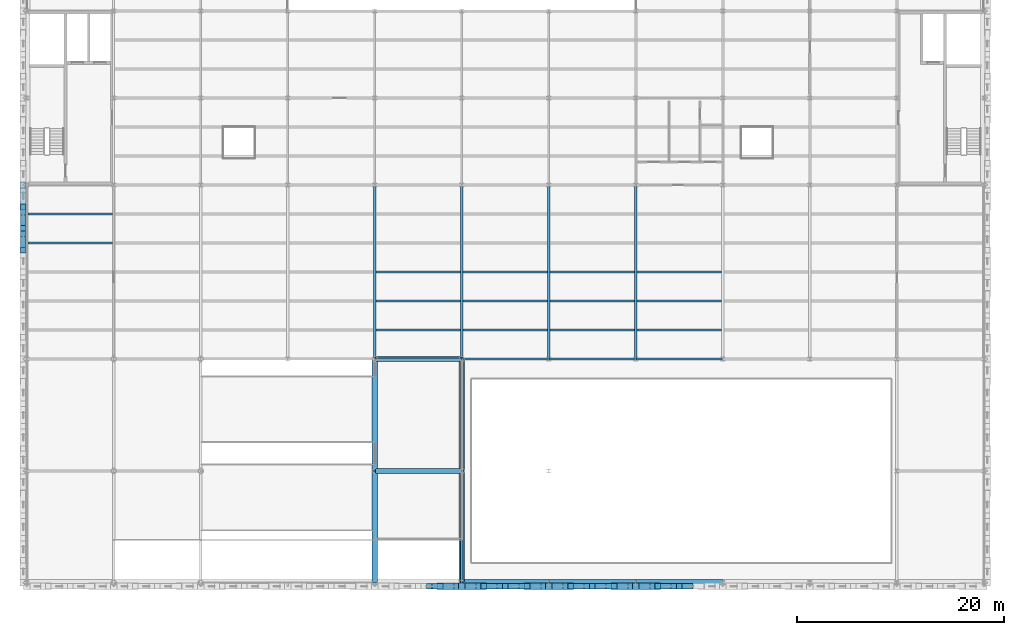
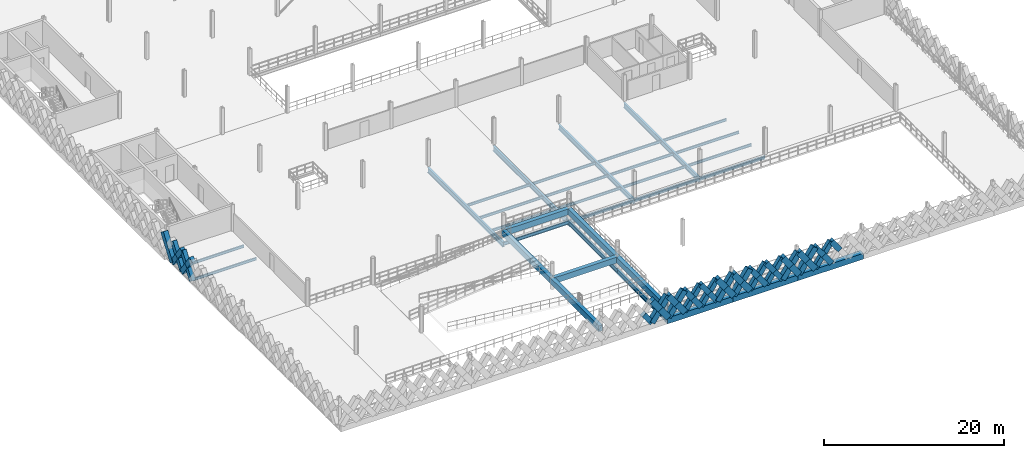
# One storey, part 16 of 62: 42 members, 33 beams.
"""IFC4 building model written with IfcOpenShell, lengths in metres."""

from ifc_helpers import new_model, si_unit, direction, frame, origin, origin_2d, place, context, subcontext, project, spatial, rectangle, i_section, extrude, material, material_profile, profile_set, type_object, element, save


model = new_model("IFC4")

# Units and contexts
model_context = context("Model", 3, precision=1e-05, world=origin(), true_north=direction((0.0, 1.0)))
body_context = subcontext(model_context, "Body", "Model", "MODEL_VIEW")
ifc_project = project(units=[si_unit("LENGTHUNIT", "METRE"), si_unit("AREAUNIT", "SQUARE_METRE"), si_unit("VOLUMEUNIT", "CUBIC_METRE"), si_unit("PLANEANGLEUNIT", "RADIAN"), si_unit("MASSUNIT", "GRAM", prefix="KILO"), si_unit("THERMODYNAMICTEMPERATUREUNIT", "KELVIN"), si_unit("POWERUNIT", "WATT")], contexts=[model_context])

# Site, building, storey
site_placement = place(None, origin())
site = spatial("IfcSite", under=ifc_project, at=site_placement, CompositionType="ELEMENT")
building_placement = place(site_placement, origin())
building = spatial("IfcBuilding", under=site, at=building_placement, Name="Tembeka Court Mobility Hub", CompositionType="ELEMENT")
storey_placement = place(building_placement, frame((0.0, 0.0, 16.199951171875)))
storey = spatial("IfcBuildingStorey", under=building, at=storey_placement, Name="L04", CompositionType="ELEMENT", Elevation=16.199951171875)

# Beams
ifc_material_1 = material(Name="Steel S355", Category="steel")
ifc_material_profile_1 = material_profile(ifc_material_1, i_section(OverallWidth=0.18994140625, OverallDepth=0.45703125, WebThickness=0.009033203125, FlangeThickness=0.014404296875, FilletRadius=0.01025390625, at=origin_2d()), Name="UKB 457x191x74")
ifc_profile_set_1 = profile_set([ifc_material_profile_1], Name="Steel S355")
beam_type_1 = type_object("IfcBeamType", Name="BM-B01", PredefinedType="BEAM", material=ifc_profile_set_1)
for number, where, z_axis, x_axis, name in (
    (1, (33.60009765625, 21.60009765625, -0.448486328125), (1.0, 0.0, 0.0), (0.0, 1.0, 0.0), "Beam B01 (BM-L04-X2210)"),
    (2, (42.0, 21.60009765625, -0.448486328125), (1.0, 0.0, 0.0), (0.0, 1.0, 0.0), "Beam B01 (BM-L04-X2211)"),
):
    element("IfcBeam", number, at=place(storey_placement, frame(where, z_axis=z_axis, x_axis=x_axis)), inside=storey, type_object=beam_type_1, Name=name, PredefinedType="BEAM", context=body_context, shape_type="SweptSolid", body=[
        extrude(i_section(OverallWidth=0.18994140625, OverallDepth=0.45703125, WebThickness=0.009033203125, FlangeThickness=0.014404296875, FilletRadius=0.01025390625, at=origin_2d()), origin(), (0.0, 0.0, 1.0), 8.39990234375),
    ])
beam_1_placement = place(storey_placement, frame((50.39990234375, 21.60009765625, -0.448486328125), z_axis=(1.0, 0.0, 0.0), x_axis=(0.0, 1.0, 0.0)))
element("IfcBeam", 3, at=beam_1_placement, inside=storey, type_object=beam_type_1, Name="Beam B01 (BM-L04-X2212)", PredefinedType="BEAM", context=body_context, shape_type="SweptSolid", body=[
    extrude(i_section(OverallWidth=0.18994140625, OverallDepth=0.45703125, WebThickness=0.009033203125, FlangeThickness=0.014404296875, FilletRadius=0.01025390625, at=origin_2d()), origin(), (0.0, 0.0, 1.0), 8.400146484375),
])
beam_2_placement = place(storey_placement, frame((58.800048828125, 21.60009765625, -0.448486328125), z_axis=(1.0, 0.0, 0.0), x_axis=(0.0, 1.0, 0.0)))
element("IfcBeam", 4, at=beam_2_placement, inside=storey, type_object=beam_type_1, Name="Beam B01 (BM-L04-X2213)", PredefinedType="BEAM", context=body_context, shape_type="SweptSolid", body=[
    extrude(i_section(OverallWidth=0.18994140625, OverallDepth=0.45703125, WebThickness=0.009033203125, FlangeThickness=0.014404296875, FilletRadius=0.01025390625, at=origin_2d()), origin(), (0.0, 0.0, 1.0), 8.39990234375),
])
ifc_material_2 = material(Name="Concrete C40/50", Category="concrete")
ifc_material_profile_2 = material_profile(ifc_material_2, rectangle(XDim=0.5, YDim=0.800048828125, at=origin_2d()), Name="RC-BM 500x800")
ifc_profile_set_2 = profile_set([ifc_material_profile_2], Name="Concrete C40/50")
beam_type_2 = type_object("IfcBeamType", Name="BM-B05", PredefinedType="BEAM", material=ifc_profile_set_2)
for number, where, z_axis, x_axis, name in (
    (5, (33.695068359375, 10.800048828125, 1.150146484375), (1.0, 0.0, 0.0), (0.0, 1.0, 0.0), "Car park vehicle ramp South R2 L04 half-landing tie beam EX2"),
    (6, (33.695068359375, 21.60009765625, 1.150146484375), (1.0, 0.0, 0.0), (0.0, 1.0, 0.0), "Car park vehicle ramp South R2 L04 half-landing tie beam EX3"),
):
    element("IfcBeam", number, at=place(storey_placement, frame(where, z_axis=z_axis, x_axis=x_axis)), inside=storey, type_object=beam_type_2, Name=name, PredefinedType="BEAM", context=body_context, shape_type="SweptSolid", body=[
        extrude(rectangle(XDim=0.5, YDim=0.800048828125, at=origin_2d()), origin(), (0.0, 0.0, 1.0), 8.2099609375),
    ])
for number, where, z_axis, x_axis, name in (
    (7, (33.60009765625, 0.0, 1.150146484375), (0.0, 1.0, 0.0), (-1.0, 0.0, 0.0), "Car park vehicle ramp South R2 L04 half-landing beam EM1"),
    (8, (33.60009765625, 10.800048828125, 1.150146484375), (0.0, 1.0, 0.0), (-1.0, 0.0, 0.0), "Car park vehicle ramp South R2 L04 half-landing beam EM2"),
    (9, (42.0, 0.0, 1.150146484375), (0.0, 1.0, 0.0), (-1.0, 0.0, 0.0), "Car park vehicle ramp South R2 L04 half-landing beam EE1"),
    (10, (42.0, 10.800048828125, 1.150146484375), (0.0, 1.0, 0.0), (-1.0, 0.0, 0.0), "Car park vehicle ramp South R2 L04 half-landing beam EE2"),
):
    element("IfcBeam", number, at=place(storey_placement, frame(where, z_axis=z_axis, x_axis=x_axis)), inside=storey, type_object=beam_type_2, Name=name, PredefinedType="BEAM", context=body_context, shape_type="SweptSolid", body=[
        extrude(rectangle(XDim=0.5, YDim=0.800048828125, at=origin_2d()), origin(), (0.0, 0.0, 1.0), 10.800048828125),
    ])
ifc_material_profile_3 = material_profile(ifc_material_1, i_section(OverallWidth=0.25390625, OverallDepth=0.68408203125, WebThickness=0.012451171875, FlangeThickness=0.01904296875, FilletRadius=0.01513671875, at=origin_2d()), Name="UKB 686x254x140")
ifc_profile_set_3 = profile_set([ifc_material_profile_3], Name="Steel S355")
beam_type_3 = type_object("IfcBeamType", Name="BM-G01", PredefinedType="USERDEFINED", material=ifc_profile_set_3)
for number, where, z_axis, x_axis, name in (
    (11, (33.60009765625, 21.60009765625, -0.56201171875), (0.0, 1.0, 0.0), (-1.0, 0.0, 0.0), "Beam G01 (BM-L04-Y2353)"),
    (12, (42.0, 21.60009765625, -0.56201171875), (0.0, 1.0, 0.0), (-1.0, 0.0, 0.0), "Beam G01 (BM-L04-Y2361)"),
    (13, (50.39990234375, 21.60009765625, -0.56201171875), (0.0, 1.0, 0.0), (-1.0, 0.0, 0.0), "Beam G01 (BM-L04-Y2369)"),
    (14, (58.800048828125, 21.60009765625, -0.56201171875), (0.0, 1.0, 0.0), (-1.0, 0.0, 0.0), "Beam G01 (BM-L04-Y2375)"),
):
    element("IfcBeam", number, at=place(storey_placement, frame(where, z_axis=z_axis, x_axis=x_axis)), inside=storey, type_object=beam_type_3, Name=name, ObjectType="GIRDER", PredefinedType="USERDEFINED", context=body_context, shape_type="SweptSolid", body=[
        extrude(i_section(OverallWidth=0.25390625, OverallDepth=0.68408203125, WebThickness=0.012451171875, FlangeThickness=0.01904296875, FilletRadius=0.01513671875, at=origin_2d()), origin(), (0.0, 0.0, 1.0), 16.7998046875),
    ])
ifc_material_profile_4 = material_profile(ifc_material_1, i_section(OverallWidth=0.22900390625, OverallDepth=0.612060546875, WebThickness=0.011962890625, FlangeThickness=0.01953125, FilletRadius=0.0126953125, at=origin_2d()), Name="UKB 610x229x125")
ifc_profile_set_4 = profile_set([ifc_material_profile_4], Name="Steel S355")
beam_type_4 = type_object("IfcBeamType", Name="BM-G02", PredefinedType="USERDEFINED", material=ifc_profile_set_4)
for number, where, z_axis, x_axis, name in (
    (15, (42.0, 0.0, -0.52587890625), (0.0, 1.0, 0.0), (-1.0, 0.0, 0.0), "Beam G02 (BM-L04-Y2359)"),
    (16, (42.0, 10.800048828125, -0.52587890625), (0.0, 1.0, 0.0), (-1.0, 0.0, 0.0), "Beam G02 (BM-L04-Y2360)"),
):
    element("IfcBeam", number, at=place(storey_placement, frame(where, z_axis=z_axis, x_axis=x_axis)), inside=storey, type_object=beam_type_4, Name=name, ObjectType="GIRDER", PredefinedType="USERDEFINED", context=body_context, shape_type="SweptSolid", body=[
        extrude(i_section(OverallWidth=0.22900390625, OverallDepth=0.612060546875, WebThickness=0.011962890625, FlangeThickness=0.01953125, FilletRadius=0.0126953125, at=origin_2d()), origin(), (0.0, 0.0, 1.0), 10.800048828125),
    ])
ifc_material_profile_5 = material_profile(ifc_material_1, i_section(OverallWidth=0.172119140625, OverallDepth=0.35498046875, WebThickness=0.00732421875, FlangeThickness=0.011474609375, FilletRadius=0.01025390625, at=origin_2d()), Name="UKB 356x171x51")
ifc_profile_set_5 = profile_set([ifc_material_profile_5], Name="Steel S355")
beam_type_5 = type_object("IfcBeamType", Name="BM-J01", PredefinedType="JOIST", material=ifc_profile_set_5)
for number, where, z_axis, x_axis, name in (
    (17, (0.1220703125, 32.800048828125, -0.3974609375), (1.0, 0.0, 0.0), (0.0, 1.0, 0.0), "Beam J01 (JST-L04-2441)"),
    (18, (0.1220703125, 35.60009765625, -0.3974609375), (1.0, 0.0, 0.0), (0.0, 1.0, 0.0), "Beam J01 (JST-L04-2442)"),
    (19, (33.721923828125, 24.39990234375, -0.3974609375), (1.0, 0.0, 0.0), (0.0, 1.0, 0.0), "Beam J01 (JST-L04-2508)"),
    (20, (33.721923828125, 27.199951171875, -0.3974609375), (1.0, 0.0, 0.0), (0.0, 1.0, 0.0), "Beam J01 (JST-L04-2509)"),
    (21, (33.721923828125, 30.0, -0.3974609375), (1.0, 0.0, 0.0), (0.0, 1.0, 0.0), "Beam J01 (JST-L04-2510)"),
    (22, (42.1220703125, 24.39990234375, -0.3974609375), (1.0, 0.0, 0.0), (0.0, 1.0, 0.0), "Beam J01 (JST-L04-2526)"),
    (23, (42.1220703125, 27.199951171875, -0.3974609375), (1.0, 0.0, 0.0), (0.0, 1.0, 0.0), "Beam J01 (JST-L04-2527)"),
    (24, (42.1220703125, 30.0, -0.3974609375), (1.0, 0.0, 0.0), (0.0, 1.0, 0.0), "Beam J01 (JST-L04-2528)"),
    (25, (50.52197265625, 24.39990234375, -0.3974609375), (1.0, 0.0, 0.0), (0.0, 1.0, 0.0), "Beam J01 (JST-L04-2544)"),
    (26, (50.52197265625, 27.199951171875, -0.3974609375), (1.0, 0.0, 0.0), (0.0, 1.0, 0.0), "Beam J01 (JST-L04-2545)"),
    (27, (50.52197265625, 30.0, -0.3974609375), (1.0, 0.0, 0.0), (0.0, 1.0, 0.0), "Beam J01 (JST-L04-2546)"),
):
    element("IfcBeam", number, at=place(storey_placement, frame(where, z_axis=z_axis, x_axis=x_axis)), inside=storey, type_object=beam_type_5, Name=name, PredefinedType="JOIST", context=body_context, shape_type="SweptSolid", body=[
        extrude(i_section(OverallWidth=0.172119140625, OverallDepth=0.35498046875, WebThickness=0.00732421875, FlangeThickness=0.011474609375, FilletRadius=0.01025390625, at=origin_2d()), origin(), (0.0, 0.0, 1.0), 8.156005859375),
    ])
for number, where, z_axis, x_axis, name in (
    (28, (58.922119140625, 24.39990234375, -0.3974609375), (1.0, 0.0, 0.0), (0.0, 1.0, 0.0), "Beam J01 (JST-L04-2562)"),
    (29, (58.922119140625, 27.199951171875, -0.3974609375), (1.0, 0.0, 0.0), (0.0, 1.0, 0.0), "Beam J01 (JST-L04-2563)"),
    (30, (58.922119140625, 30.0, -0.3974609375), (1.0, 0.0, 0.0), (0.0, 1.0, 0.0), "Beam J01 (JST-L04-2564)"),
):
    element("IfcBeam", number, at=place(storey_placement, frame(where, z_axis=z_axis, x_axis=x_axis)), inside=storey, type_object=beam_type_5, Name=name, PredefinedType="JOIST", context=body_context, shape_type="SweptSolid", body=[
        extrude(i_section(OverallWidth=0.172119140625, OverallDepth=0.35498046875, WebThickness=0.00732421875, FlangeThickness=0.011474609375, FilletRadius=0.01025390625, at=origin_2d()), origin(), (0.0, 0.0, 1.0), 8.15576171875),
    ])
ifc_material_3 = material(Name="Precast concrete C45/55", Category="concrete")
ifc_material_profile_6 = material_profile(ifc_material_3, rectangle(XDim=0.64990234375, YDim=0.800048828125, at=origin_2d()), Name="PC-SP 650x800")
ifc_profile_set_6 = profile_set([ifc_material_profile_6], Name="Precast concrete C45/55")
beam_type_6 = type_object("IfcBeamType", Name="BM-SP01", PredefinedType="SPANDREL", material=ifc_profile_set_6)
beam_3_placement = place(storey_placement, frame((42.0, 0.0, -0.619873046875), z_axis=(1.0, 0.0, 0.0), x_axis=(0.0, 1.0, 0.0)))
element("IfcBeam", 31, at=beam_3_placement, inside=storey, type_object=beam_type_6, Name="Beam SP01 (BM-L04-X2189)", PredefinedType="SPANDREL", context=body_context, shape_type="SweptSolid", body=[
    extrude(rectangle(XDim=0.64990234375, YDim=0.800048828125, at=origin_2d()), origin(), (0.0, 0.0, 1.0), 8.39990234375),
])
beam_4_placement = place(storey_placement, frame((50.39990234375, 0.0, -0.619873046875), z_axis=(1.0, 0.0, 0.0), x_axis=(0.0, 1.0, 0.0)))
element("IfcBeam", 32, at=beam_4_placement, inside=storey, type_object=beam_type_6, Name="Beam SP01 (BM-L04-X2190)", PredefinedType="SPANDREL", context=body_context, shape_type="SweptSolid", body=[
    extrude(rectangle(XDim=0.64990234375, YDim=0.800048828125, at=origin_2d()), origin(), (0.0, 0.0, 1.0), 8.400146484375),
])
beam_5_placement = place(storey_placement, frame((58.800048828125, 0.0, -0.619873046875), z_axis=(1.0, 0.0, 0.0), x_axis=(0.0, 1.0, 0.0)))
element("IfcBeam", 33, at=beam_5_placement, inside=storey, type_object=beam_type_6, Name="Beam SP01 (BM-L04-X2191)", PredefinedType="SPANDREL", context=body_context, shape_type="SweptSolid", body=[
    extrude(rectangle(XDim=0.64990234375, YDim=0.800048828125, at=origin_2d()), origin(), (0.0, 0.0, 1.0), 8.39990234375),
])

# Members
ifc_material_profile_7 = material_profile(ifc_material_3, rectangle(XDim=0.5, YDim=0.64990234375, at=origin_2d()), Name="PC-DIAG 500x650")
ifc_profile_set_7 = profile_set([ifc_material_profile_7], Name="Precast concrete C45/55")
member_type_1 = type_object("IfcMemberType", Name="MEM-DL01", PredefinedType="BRACE", material=ifc_profile_set_7)
member_1_placement = place(storey_placement, frame((39.89990234375, -0.340087890625, 0.02001953125), z_axis=(-0.582454804382, 0.0, 0.812863088627), x_axis=(0.0, -1.0, 0.0)))
element("IfcMember", 34, at=member_1_placement, inside=storey, type_object=member_type_1, Name="Precast diamond lattice split lower strand DL01 (L04-607B1)", PredefinedType="BRACE", context=body_context, shape_type="SweptSolid", body=[
    extrude(rectangle(XDim=0.5, YDim=0.64990234375, at=origin_2d()), origin(), (0.0, 0.0, 1.0), 1.802490234375),
])
member_2_placement = place(storey_placement, frame((44.10009765625, -0.340087890625, 0.02001953125), z_axis=(0.58253161945, 0.0, 0.812808041509), x_axis=(0.0, 1.0, 0.0)))
element("IfcMember", 35, at=member_2_placement, inside=storey, type_object=member_type_1, Name="Precast diamond lattice continuous strand DL01 (L04-610A)", PredefinedType="BRACE", context=body_context, shape_type="SweptSolid", body=[
    extrude(rectangle(XDim=0.5, YDim=0.64990234375, at=origin_2d()), origin(), (0.0, 0.0, 1.0), 3.604736328125),
])
member_3_placement = place(storey_placement, frame((46.199951171875, -0.340087890625, 0.02001953125), z_axis=(-0.582544294934, 0.0, 0.812798956963), x_axis=(0.0, -1.0, 0.0)))
element("IfcMember", 36, at=member_3_placement, inside=storey, type_object=member_type_1, Name="Precast diamond lattice split lower strand DL01 (L04-610B1)", PredefinedType="BRACE", context=body_context, shape_type="SweptSolid", body=[
    extrude(rectangle(XDim=0.5, YDim=0.64990234375, at=origin_2d()), origin(), (0.0, 0.0, 1.0), 1.802490234375),
])
member_4_placement = place(storey_placement, frame((45.14990234375, -0.340087890625, 1.485107421875), z_axis=(-0.582518941428, 0.0, 0.812817127574), x_axis=(0.0, -1.0, 0.0)))
element("IfcMember", 37, at=member_4_placement, inside=storey, type_object=member_type_1, Name="Precast diamond lattice split upper strand DL01 (L04-610B2)", PredefinedType="BRACE", context=body_context, shape_type="SweptSolid", body=[
    extrude(rectangle(XDim=0.5, YDim=0.64990234375, at=origin_2d()), origin(), (0.0, 0.0, 1.0), 1.80224609375),
])
member_5_placement = place(storey_placement, frame((46.199951171875, -0.340087890625, 0.02001953125), z_axis=(0.582576362011, 0.0, 0.812775973086), x_axis=(0.0, 1.0, 0.0)))
element("IfcMember", 38, at=member_5_placement, inside=storey, type_object=member_type_1, Name="Precast diamond lattice continuous strand DL01 (L04-611A)", PredefinedType="BRACE", context=body_context, shape_type="SweptSolid", body=[
    extrude(rectangle(XDim=0.5, YDim=0.64990234375, at=origin_2d()), origin(), (0.0, 0.0, 1.0), 3.604736328125),
])
member_6_placement = place(storey_placement, frame((48.300048828125, -0.340087890625, 0.02001953125), z_axis=(-0.582544294934, 0.0, 0.812798956963), x_axis=(0.0, -1.0, 0.0)))
element("IfcMember", 39, at=member_6_placement, inside=storey, type_object=member_type_1, Name="Precast diamond lattice split lower strand DL01 (L04-611B1)", PredefinedType="BRACE", context=body_context, shape_type="SweptSolid", body=[
    extrude(rectangle(XDim=0.5, YDim=0.64990234375, at=origin_2d()), origin(), (0.0, 0.0, 1.0), 1.802490234375),
])
member_7_placement = place(storey_placement, frame((47.25, -0.340087890625, 1.485107421875), z_axis=(-0.582608431711, 0.0, 0.812752985414), x_axis=(0.0, -1.0, 0.0)))
element("IfcMember", 40, at=member_7_placement, inside=storey, type_object=member_type_1, Name="Precast diamond lattice split upper strand DL01 (L04-611B2)", PredefinedType="BRACE", context=body_context, shape_type="SweptSolid", body=[
    extrude(rectangle(XDim=0.5, YDim=0.64990234375, at=origin_2d()), origin(), (0.0, 0.0, 1.0), 1.80224609375),
])
member_8_placement = place(storey_placement, frame((52.5, -0.340087890625, 0.02001953125), z_axis=(0.582576362011, 0.0, 0.812775973086), x_axis=(0.0, 1.0, 0.0)))
element("IfcMember", 41, at=member_8_placement, inside=storey, type_object=member_type_1, Name="Precast diamond lattice continuous strand DL01 (L04-614A)", PredefinedType="BRACE", context=body_context, shape_type="SweptSolid", body=[
    extrude(rectangle(XDim=0.5, YDim=0.64990234375, at=origin_2d()), origin(), (0.0, 0.0, 1.0), 3.604736328125),
])
member_9_placement = place(storey_placement, frame((54.60009765625, -0.340087890625, 0.02001953125), z_axis=(-0.582544294934, 0.0, 0.812798956963), x_axis=(0.0, -1.0, 0.0)))
element("IfcMember", 42, at=member_9_placement, inside=storey, type_object=member_type_1, Name="Precast diamond lattice split lower strand DL01 (L04-614B1)", PredefinedType="BRACE", context=body_context, shape_type="SweptSolid", body=[
    extrude(rectangle(XDim=0.5, YDim=0.64990234375, at=origin_2d()), origin(), (0.0, 0.0, 1.0), 1.802490234375),
])
member_10_placement = place(storey_placement, frame((53.550048828125, -0.340087890625, 1.485107421875), z_axis=(-0.582608431711, 0.0, 0.812752985414), x_axis=(0.0, -1.0, 0.0)))
element("IfcMember", 43, at=member_10_placement, inside=storey, type_object=member_type_1, Name="Precast diamond lattice split upper strand DL01 (L04-614B2)", PredefinedType="BRACE", context=body_context, shape_type="SweptSolid", body=[
    extrude(rectangle(XDim=0.5, YDim=0.64990234375, at=origin_2d()), origin(), (0.0, 0.0, 1.0), 1.80224609375),
])
member_11_placement = place(storey_placement, frame((54.60009765625, -0.340087890625, 0.02001953125), z_axis=(0.58253161945, 0.0, 0.812808041509), x_axis=(0.0, 1.0, 0.0)))
element("IfcMember", 44, at=member_11_placement, inside=storey, type_object=member_type_1, Name="Precast diamond lattice continuous strand DL01 (L04-615A)", PredefinedType="BRACE", context=body_context, shape_type="SweptSolid", body=[
    extrude(rectangle(XDim=0.5, YDim=0.64990234375, at=origin_2d()), origin(), (0.0, 0.0, 1.0), 3.604736328125),
])
member_12_placement = place(storey_placement, frame((56.699951171875, -0.340087890625, 0.02001953125), z_axis=(-0.582544294934, 0.0, 0.812798956963), x_axis=(0.0, -1.0, 0.0)))
element("IfcMember", 45, at=member_12_placement, inside=storey, type_object=member_type_1, Name="Precast diamond lattice split lower strand DL01 (L04-615B1)", PredefinedType="BRACE", context=body_context, shape_type="SweptSolid", body=[
    extrude(rectangle(XDim=0.5, YDim=0.64990234375, at=origin_2d()), origin(), (0.0, 0.0, 1.0), 1.802490234375),
])
member_13_placement = place(storey_placement, frame((55.64990234375, -0.340087890625, 1.485107421875), z_axis=(-0.582518941428, 0.0, 0.812817127574), x_axis=(0.0, -1.0, 0.0)))
element("IfcMember", 46, at=member_13_placement, inside=storey, type_object=member_type_1, Name="Precast diamond lattice split upper strand DL01 (L04-615B2)", PredefinedType="BRACE", context=body_context, shape_type="SweptSolid", body=[
    extrude(rectangle(XDim=0.5, YDim=0.64990234375, at=origin_2d()), origin(), (0.0, 0.0, 1.0), 1.80224609375),
])
member_14_placement = place(storey_placement, frame((60.89990234375, -0.340087890625, 0.02001953125), z_axis=(0.582576362011, 0.0, 0.812775973086), x_axis=(0.0, 1.0, 0.0)))
element("IfcMember", 47, at=member_14_placement, inside=storey, type_object=member_type_1, Name="Precast diamond lattice continuous strand DL01 (L04-618A)", PredefinedType="BRACE", context=body_context, shape_type="SweptSolid", body=[
    extrude(rectangle(XDim=0.5, YDim=0.64990234375, at=origin_2d()), origin(), (0.0, 0.0, 1.0), 3.604736328125),
])
member_15_placement = place(storey_placement, frame((63.0, -0.340087890625, 0.02001953125), z_axis=(-0.582544294934, 0.0, 0.812798956963), x_axis=(0.0, -1.0, 0.0)))
element("IfcMember", 48, at=member_15_placement, inside=storey, type_object=member_type_1, Name="Precast diamond lattice split lower strand DL01 (L04-618B1)", PredefinedType="BRACE", context=body_context, shape_type="SweptSolid", body=[
    extrude(rectangle(XDim=0.5, YDim=0.64990234375, at=origin_2d()), origin(), (0.0, 0.0, 1.0), 1.802490234375),
])
for number, where, z_axis, x_axis, name in (
    (49, (61.949951171875, -0.340087890625, 1.485107421875), (-0.582608431711, 0.0, 0.812752985414), (0.0, -1.0, 0.0), "Precast diamond lattice split upper strand DL01 (L04-618B2)"),
    (50, (64.050048828125, -0.340087890625, 1.485107421875), (-0.582608431711, 0.0, 0.812752985414), (0.0, -1.0, 0.0), "Precast diamond lattice split upper strand DL01 (L04-619B2)"),
):
    element("IfcMember", number, at=place(storey_placement, frame(where, z_axis=z_axis, x_axis=x_axis)), inside=storey, type_object=member_type_1, Name=name, PredefinedType="BRACE", context=body_context, shape_type="SweptSolid", body=[
        extrude(rectangle(XDim=0.5, YDim=0.64990234375, at=origin_2d()), origin(), (0.0, 0.0, 1.0), 1.80224609375),
    ])
member_16_placement = place(storey_placement, frame((-0.340087890625, 32.10009765625, 0.02001953125), z_axis=(0.0, 0.58253161945, 0.812808041509), x_axis=(-1.0, 0.0, 0.0)))
element("IfcMember", 51, at=member_16_placement, inside=storey, type_object=member_type_1, Name="Precast diamond lattice continuous strand DL01 (L04-692C)", PredefinedType="BRACE", context=body_context, shape_type="SweptSolid", body=[
    extrude(rectangle(XDim=0.5, YDim=0.64990234375, at=origin_2d()), origin(), (0.0, 0.0, 1.0), 3.604736328125),
])
member_17_placement = place(storey_placement, frame((-0.340087890625, 34.199951171875, 0.02001953125), z_axis=(0.0, -0.582544294934, 0.812798956963), x_axis=(1.0, 0.0, 0.0)))
element("IfcMember", 52, at=member_17_placement, inside=storey, type_object=member_type_1, Name="Precast diamond lattice split lower strand DL01 (L04-692D1)", PredefinedType="BRACE", context=body_context, shape_type="SweptSolid", body=[
    extrude(rectangle(XDim=0.5, YDim=0.64990234375, at=origin_2d()), origin(), (0.0, 0.0, 1.0), 1.802490234375),
])
member_18_placement = place(storey_placement, frame((-0.340087890625, 33.14990234375, 1.485107421875), z_axis=(0.0, -0.582518941428, 0.812817127574), x_axis=(1.0, 0.0, 0.0)))
element("IfcMember", 53, at=member_18_placement, inside=storey, type_object=member_type_1, Name="Precast diamond lattice split upper strand DL01 (L04-692D2)", PredefinedType="BRACE", context=body_context, shape_type="SweptSolid", body=[
    extrude(rectangle(XDim=0.5, YDim=0.64990234375, at=origin_2d()), origin(), (0.0, 0.0, 1.0), 1.80224609375),
])
member_19_placement = place(storey_placement, frame((-0.340087890625, 34.199951171875, 0.02001953125), z_axis=(0.0, 0.582576362011, 0.812775973086), x_axis=(-1.0, 0.0, 0.0)))
element("IfcMember", 54, at=member_19_placement, inside=storey, type_object=member_type_1, Name="Precast diamond lattice continuous strand DL01 (L04-693C)", PredefinedType="BRACE", context=body_context, shape_type="SweptSolid", body=[
    extrude(rectangle(XDim=0.5, YDim=0.64990234375, at=origin_2d()), origin(), (0.0, 0.0, 1.0), 3.604736328125),
])
member_20_placement = place(storey_placement, frame((-0.340087890625, 36.300048828125, 0.02001953125), z_axis=(0.0, -0.582544294934, 0.812798956963), x_axis=(1.0, 0.0, 0.0)))
element("IfcMember", 55, at=member_20_placement, inside=storey, type_object=member_type_1, Name="Precast diamond lattice split lower strand DL01 (L04-693D1)", PredefinedType="BRACE", context=body_context, shape_type="SweptSolid", body=[
    extrude(rectangle(XDim=0.5, YDim=0.64990234375, at=origin_2d()), origin(), (0.0, 0.0, 1.0), 1.802490234375),
])
member_21_placement = place(storey_placement, frame((-0.340087890625, 35.25, 1.485107421875), z_axis=(0.0, -0.582608431711, 0.812752985414), x_axis=(1.0, 0.0, 0.0)))
element("IfcMember", 56, at=member_21_placement, inside=storey, type_object=member_type_1, Name="Precast diamond lattice split upper strand DL01 (L04-693D2)", PredefinedType="BRACE", context=body_context, shape_type="SweptSolid", body=[
    extrude(rectangle(XDim=0.5, YDim=0.64990234375, at=origin_2d()), origin(), (0.0, 0.0, 1.0), 1.80224609375),
])
ifc_material_profile_8 = material_profile(ifc_material_3, rectangle(XDim=0.60009765625, YDim=0.75, at=origin_2d()), Name="PC-DIAG 600x750")
ifc_profile_set_8 = profile_set([ifc_material_profile_8], Name="Precast concrete C45/55")
member_type_2 = type_object("IfcMemberType", Name="MEM-DL02", PredefinedType="BRACE", material=ifc_profile_set_8)
member_22_placement = place(storey_placement, frame((39.89990234375, -0.340087890625, 0.02001953125), z_axis=(0.582576362011, 0.0, 0.812775973086), x_axis=(0.0, 1.0, 0.0)))
element("IfcMember", 57, at=member_22_placement, inside=storey, type_object=member_type_2, Name="Precast diamond lattice continuous strand DL02 (L04-608A)", PredefinedType="BRACE", context=body_context, shape_type="SweptSolid", body=[
    extrude(rectangle(XDim=0.60009765625, YDim=0.75, at=origin_2d()), origin(), (0.0, 0.0, 1.0), 3.604736328125),
])
member_23_placement = place(storey_placement, frame((42.0, -0.340087890625, 0.02001953125), z_axis=(-0.582544294934, 0.0, 0.812798956963), x_axis=(0.0, -1.0, 0.0)))
element("IfcMember", 58, at=member_23_placement, inside=storey, type_object=member_type_2, Name="Precast diamond lattice split lower strand DL02 (L04-608B1)", PredefinedType="BRACE", context=body_context, shape_type="SweptSolid", body=[
    extrude(rectangle(XDim=0.60009765625, YDim=0.75, at=origin_2d()), origin(), (0.0, 0.0, 1.0), 1.802490234375),
])
member_24_placement = place(storey_placement, frame((40.949951171875, -0.340087890625, 1.485107421875), z_axis=(-0.582608431711, 0.0, 0.812752985414), x_axis=(0.0, -1.0, 0.0)))
element("IfcMember", 59, at=member_24_placement, inside=storey, type_object=member_type_2, Name="Precast diamond lattice split upper strand DL02 (L04-608B2)", PredefinedType="BRACE", context=body_context, shape_type="SweptSolid", body=[
    extrude(rectangle(XDim=0.60009765625, YDim=0.75, at=origin_2d()), origin(), (0.0, 0.0, 1.0), 1.80224609375),
])
member_25_placement = place(storey_placement, frame((42.0, -0.340087890625, 0.02001953125), z_axis=(0.582576362011, 0.0, 0.812775973086), x_axis=(0.0, 1.0, 0.0)))
element("IfcMember", 60, at=member_25_placement, inside=storey, type_object=member_type_2, Name="Precast diamond lattice continuous strand DL02 (L04-609A)", PredefinedType="BRACE", context=body_context, shape_type="SweptSolid", body=[
    extrude(rectangle(XDim=0.60009765625, YDim=0.75, at=origin_2d()), origin(), (0.0, 0.0, 1.0), 3.604736328125),
])
member_26_placement = place(storey_placement, frame((44.10009765625, -0.340087890625, 0.02001953125), z_axis=(-0.582544294934, 0.0, 0.812798956963), x_axis=(0.0, -1.0, 0.0)))
element("IfcMember", 61, at=member_26_placement, inside=storey, type_object=member_type_2, Name="Precast diamond lattice split lower strand DL02 (L04-609B1)", PredefinedType="BRACE", context=body_context, shape_type="SweptSolid", body=[
    extrude(rectangle(XDim=0.60009765625, YDim=0.75, at=origin_2d()), origin(), (0.0, 0.0, 1.0), 1.802490234375),
])
member_27_placement = place(storey_placement, frame((43.050048828125, -0.340087890625, 1.485107421875), z_axis=(-0.582608431711, 0.0, 0.812752985414), x_axis=(0.0, -1.0, 0.0)))
element("IfcMember", 62, at=member_27_placement, inside=storey, type_object=member_type_2, Name="Precast diamond lattice split upper strand DL02 (L04-609B2)", PredefinedType="BRACE", context=body_context, shape_type="SweptSolid", body=[
    extrude(rectangle(XDim=0.60009765625, YDim=0.75, at=origin_2d()), origin(), (0.0, 0.0, 1.0), 1.80224609375),
])
member_28_placement = place(storey_placement, frame((48.300048828125, -0.340087890625, 0.02001953125), z_axis=(0.58253161945, 0.0, 0.812808041509), x_axis=(0.0, 1.0, 0.0)))
element("IfcMember", 63, at=member_28_placement, inside=storey, type_object=member_type_2, Name="Precast diamond lattice continuous strand DL02 (L04-612A)", PredefinedType="BRACE", context=body_context, shape_type="SweptSolid", body=[
    extrude(rectangle(XDim=0.60009765625, YDim=0.75, at=origin_2d()), origin(), (0.0, 0.0, 1.0), 3.604736328125),
])
member_29_placement = place(storey_placement, frame((50.39990234375, -0.340087890625, 0.02001953125), z_axis=(-0.582454804382, 0.0, 0.812863088627), x_axis=(0.0, -1.0, 0.0)))
element("IfcMember", 64, at=member_29_placement, inside=storey, type_object=member_type_2, Name="Precast diamond lattice split lower strand DL02 (L04-612B1)", PredefinedType="BRACE", context=body_context, shape_type="SweptSolid", body=[
    extrude(rectangle(XDim=0.60009765625, YDim=0.75, at=origin_2d()), origin(), (0.0, 0.0, 1.0), 1.802490234375),
])
member_30_placement = place(storey_placement, frame((49.35009765625, -0.340087890625, 1.485107421875), z_axis=(-0.582608431711, 0.0, 0.812752985414), x_axis=(0.0, -1.0, 0.0)))
element("IfcMember", 65, at=member_30_placement, inside=storey, type_object=member_type_2, Name="Precast diamond lattice split upper strand DL02 (L04-612B2)", PredefinedType="BRACE", context=body_context, shape_type="SweptSolid", body=[
    extrude(rectangle(XDim=0.60009765625, YDim=0.75, at=origin_2d()), origin(), (0.0, 0.0, 1.0), 1.80224609375),
])
member_31_placement = place(storey_placement, frame((50.39990234375, -0.340087890625, 0.02001953125), z_axis=(0.582576362011, 0.0, 0.812775973086), x_axis=(0.0, 1.0, 0.0)))
element("IfcMember", 66, at=member_31_placement, inside=storey, type_object=member_type_2, Name="Precast diamond lattice continuous strand DL02 (L04-613A)", PredefinedType="BRACE", context=body_context, shape_type="SweptSolid", body=[
    extrude(rectangle(XDim=0.60009765625, YDim=0.75, at=origin_2d()), origin(), (0.0, 0.0, 1.0), 3.604736328125),
])
member_32_placement = place(storey_placement, frame((52.5, -0.340087890625, 0.02001953125), z_axis=(-0.582544294934, 0.0, 0.812798956963), x_axis=(0.0, -1.0, 0.0)))
element("IfcMember", 67, at=member_32_placement, inside=storey, type_object=member_type_2, Name="Precast diamond lattice split lower strand DL02 (L04-613B1)", PredefinedType="BRACE", context=body_context, shape_type="SweptSolid", body=[
    extrude(rectangle(XDim=0.60009765625, YDim=0.75, at=origin_2d()), origin(), (0.0, 0.0, 1.0), 1.802490234375),
])
member_33_placement = place(storey_placement, frame((51.449951171875, -0.340087890625, 1.485107421875), z_axis=(-0.582608431711, 0.0, 0.812752985414), x_axis=(0.0, -1.0, 0.0)))
element("IfcMember", 68, at=member_33_placement, inside=storey, type_object=member_type_2, Name="Precast diamond lattice split upper strand DL02 (L04-613B2)", PredefinedType="BRACE", context=body_context, shape_type="SweptSolid", body=[
    extrude(rectangle(XDim=0.60009765625, YDim=0.75, at=origin_2d()), origin(), (0.0, 0.0, 1.0), 1.80224609375),
])
member_34_placement = place(storey_placement, frame((56.699951171875, -0.340087890625, 0.02001953125), z_axis=(0.582576362011, 0.0, 0.812775973086), x_axis=(0.0, 1.0, 0.0)))
element("IfcMember", 69, at=member_34_placement, inside=storey, type_object=member_type_2, Name="Precast diamond lattice continuous strand DL02 (L04-616A)", PredefinedType="BRACE", context=body_context, shape_type="SweptSolid", body=[
    extrude(rectangle(XDim=0.60009765625, YDim=0.75, at=origin_2d()), origin(), (0.0, 0.0, 1.0), 3.604736328125),
])
member_35_placement = place(storey_placement, frame((58.800048828125, -0.340087890625, 0.02001953125), z_axis=(-0.582544294934, 0.0, 0.812798956963), x_axis=(0.0, -1.0, 0.0)))
element("IfcMember", 70, at=member_35_placement, inside=storey, type_object=member_type_2, Name="Precast diamond lattice split lower strand DL02 (L04-616B1)", PredefinedType="BRACE", context=body_context, shape_type="SweptSolid", body=[
    extrude(rectangle(XDim=0.60009765625, YDim=0.75, at=origin_2d()), origin(), (0.0, 0.0, 1.0), 1.802490234375),
])
member_36_placement = place(storey_placement, frame((57.75, -0.340087890625, 1.485107421875), z_axis=(-0.582608431711, 0.0, 0.812752985414), x_axis=(0.0, -1.0, 0.0)))
element("IfcMember", 71, at=member_36_placement, inside=storey, type_object=member_type_2, Name="Precast diamond lattice split upper strand DL02 (L04-616B2)", PredefinedType="BRACE", context=body_context, shape_type="SweptSolid", body=[
    extrude(rectangle(XDim=0.60009765625, YDim=0.75, at=origin_2d()), origin(), (0.0, 0.0, 1.0), 1.80224609375),
])
member_37_placement = place(storey_placement, frame((58.800048828125, -0.340087890625, 0.02001953125), z_axis=(0.58253161945, 0.0, 0.812808041509), x_axis=(0.0, 1.0, 0.0)))
element("IfcMember", 72, at=member_37_placement, inside=storey, type_object=member_type_2, Name="Precast diamond lattice continuous strand DL02 (L04-617A)", PredefinedType="BRACE", context=body_context, shape_type="SweptSolid", body=[
    extrude(rectangle(XDim=0.60009765625, YDim=0.75, at=origin_2d()), origin(), (0.0, 0.0, 1.0), 3.604736328125),
])
member_38_placement = place(storey_placement, frame((60.89990234375, -0.340087890625, 0.02001953125), z_axis=(-0.582454804382, 0.0, 0.812863088627), x_axis=(0.0, -1.0, 0.0)))
element("IfcMember", 73, at=member_38_placement, inside=storey, type_object=member_type_2, Name="Precast diamond lattice split lower strand DL02 (L04-617B1)", PredefinedType="BRACE", context=body_context, shape_type="SweptSolid", body=[
    extrude(rectangle(XDim=0.60009765625, YDim=0.75, at=origin_2d()), origin(), (0.0, 0.0, 1.0), 1.802490234375),
])
member_39_placement = place(storey_placement, frame((59.85009765625, -0.340087890625, 1.485107421875), z_axis=(-0.582608431711, 0.0, 0.812752985414), x_axis=(0.0, -1.0, 0.0)))
element("IfcMember", 74, at=member_39_placement, inside=storey, type_object=member_type_2, Name="Precast diamond lattice split upper strand DL02 (L04-617B2)", PredefinedType="BRACE", context=body_context, shape_type="SweptSolid", body=[
    extrude(rectangle(XDim=0.60009765625, YDim=0.75, at=origin_2d()), origin(), (0.0, 0.0, 1.0), 1.80224609375),
])
member_40_placement = place(storey_placement, frame((-0.340087890625, 36.300048828125, 0.02001953125), z_axis=(0.0, 0.58253161945, 0.812808041509), x_axis=(-1.0, 0.0, 0.0)))
element("IfcMember", 75, at=member_40_placement, inside=storey, type_object=member_type_2, Name="Precast diamond lattice continuous strand DL02 (L04-694C)", PredefinedType="BRACE", context=body_context, shape_type="SweptSolid", body=[
    extrude(rectangle(XDim=0.60009765625, YDim=0.75, at=origin_2d()), origin(), (0.0, 0.0, 1.0), 3.604736328125),
])

save(model, "model.ifc")
